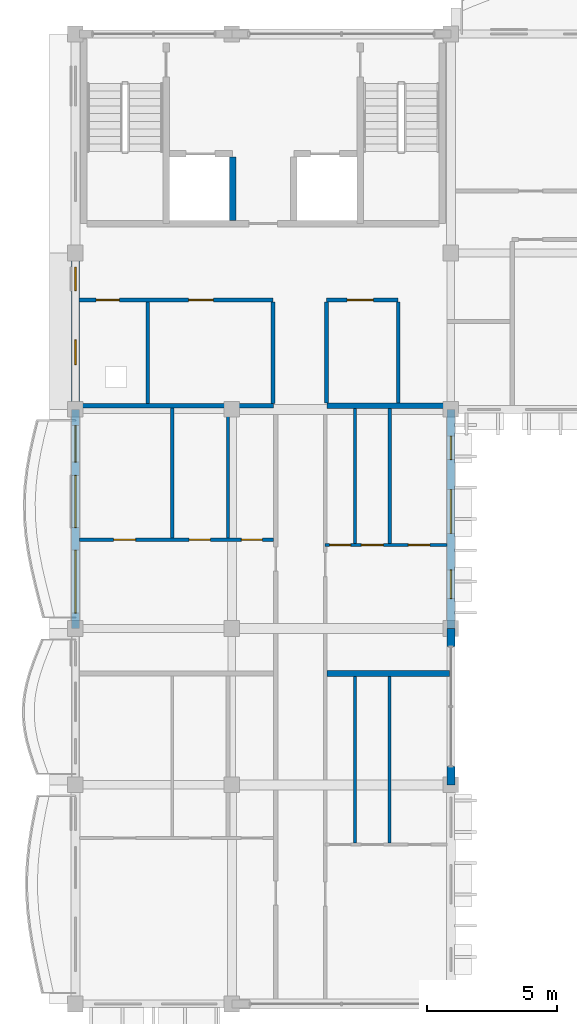
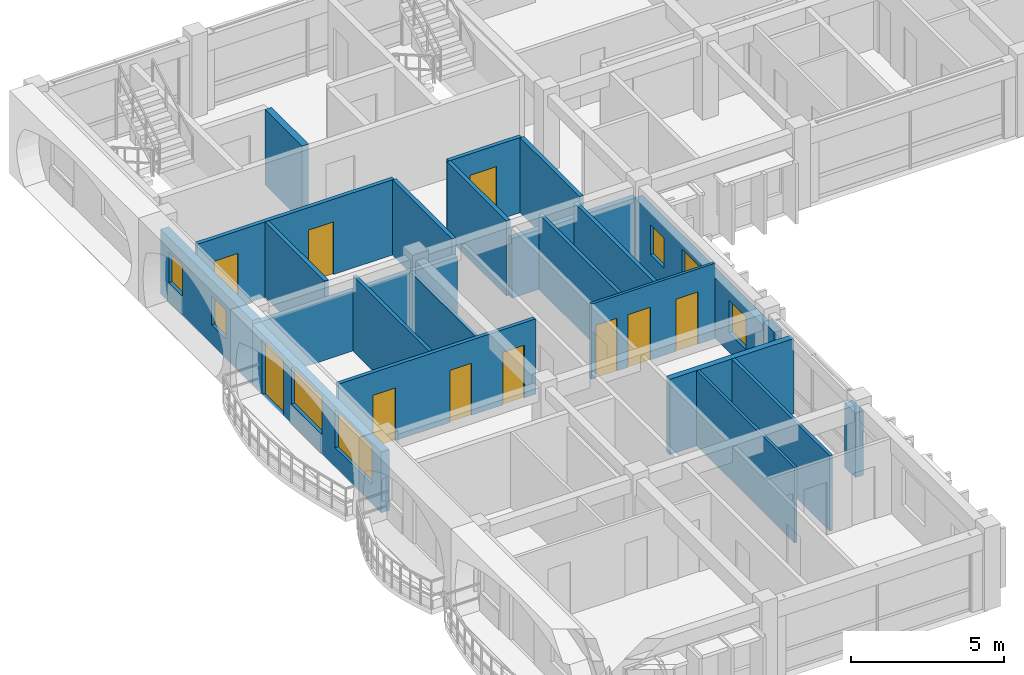
# One storey, part 29 of 68: 23 walls, 10 doors, 7 windows, 17 openings.
"""IFC4 building model written with IfcOpenShell, lengths in metres."""

from ifc_helpers import new_model, si_unit, direction, frame, frame_2d, origin, place, context, subcontext, project, spatial, rectangle, extrude, material, layer, layer_set, type_object, element, fill, save


model = new_model("IFC4")

# Units and contexts
model_context = context("Model", 3, precision=1e-05, world=origin(), true_north=direction((0.0, 1.0)))
body_context = subcontext(model_context, "Body", "Model", "MODEL_VIEW")
ifc_project = project(units=[si_unit("LENGTHUNIT", "METRE"), si_unit("AREAUNIT", "SQUARE_METRE"), si_unit("VOLUMEUNIT", "CUBIC_METRE"), si_unit("PLANEANGLEUNIT", "RADIAN"), si_unit("MASSUNIT", "GRAM", prefix="KILO"), si_unit("THERMODYNAMICTEMPERATUREUNIT", "KELVIN")], contexts=[model_context])

# Site, building, storey
site_placement = place(None, origin())
site = spatial("IfcSite", under=ifc_project, at=site_placement, CompositionType="ELEMENT")
building_placement = place(site_placement, origin())
building = spatial("IfcBuilding", under=site, at=building_placement, Name="Thalorik Housing Commons", CompositionType="ELEMENT")
storey_placement = place(building_placement, frame((0.0, 0.0, 24.60009765625)))
storey = spatial("IfcBuildingStorey", under=building, at=storey_placement, Name="L07", CompositionType="ELEMENT", Elevation=24.60009765625)

# Wall
ifc_material_1 = material(Name="Concrete C40/50", Category="concrete")
ifc_layer_1 = layer(ifc_material_1, 0.25, Name="Concrete C40/50", Category="concrete")
ifc_layer_set_1 = layer_set([ifc_layer_1], Name="Concrete C40/50")
wall_type_1 = type_object("IfcWallType", Name="ARC-WAL-CORE-250", PredefinedType="SHEAR", material=ifc_layer_set_1)
wall_1_placement = place(storey_placement, frame((14.425048828125, 118.875, 0.0), z_axis=(0.0, 0.0, 1.0), x_axis=(0.0, -1.0, 0.0)))
element("IfcWall", 1, at=wall_1_placement, inside=storey, type_object=wall_type_1, Name="L07 Lift 1 Cheek Wall", PredefinedType="SHEAR", context=body_context, shape_type="SweptSolid", body=[
    extrude(rectangle(XDim=2.425048828125, YDim=0.25, at=frame_2d((1.21240234375, 0.0))), origin(), (0.0, 0.0, 1.0), 3.0),
])

# Wall, openings, windows
ifc_material_2 = material(Name="White precast concrete C40/50", Category="concrete")
ifc_layer_2 = layer(ifc_material_2, 0.304931640625, Name="White precast concrete C40/50", Category="concrete")
ifc_layer_set_2 = layer_set([ifc_layer_2], Name="White precast concrete C40/50")
wall_type_2 = type_object("IfcWallType", Name="ARC-WAL-EXT-305", PredefinedType="STANDARD", material=ifc_layer_set_2)
wall_2_placement = place(storey_placement, frame((8.39990234375, 115.199951171875, 0.0), z_axis=(0.0, 0.0, 1.0), x_axis=(0.0, -1.0, 0.0)))
wall_2 = element("IfcWall", 2, at=wall_2_placement, inside=storey, type_object=wall_type_2, Name="L07 Exterior Wall WAL-EXT-L07-A-0204", PredefinedType="STANDARD", context=body_context, shape_type="SweptSolid", body=[
    extrude(rectangle(XDim=6.0, YDim=0.304931640625, at=frame_2d((3.0, 0.0))), origin(), (0.0, 0.0, 1.0), 2.574951171875),
])
opening_1_placement = place(wall_2_placement, frame((0.544921875, 0.0, 0.780029296875)))
opening_1 = element("IfcOpeningElement", 3, at=opening_1_placement, cuts=wall_2, Name="Opening W-01", PredefinedType="OPENING", context=body_context, shape_type="SweptSolid", body=[
    extrude(rectangle(XDim=0.89990234375, YDim=1.199951171875, at=frame_2d((0.449951171875, 0.60009765625))), frame((0.0, 0.16259765625, 0.0), z_axis=(0.0, -1.0, 0.0), x_axis=(1.0, 0.0, 0.0)), (0.0, 0.0, 1.0), 0.324951171875),
])
opening_2_placement = place(wall_2_placement, frame((3.330078125, 0.0, 0.780029296875)))
opening_2 = element("IfcOpeningElement", 4, at=opening_2_placement, cuts=wall_2, Name="Opening W-43", PredefinedType="OPENING", context=body_context, shape_type="SweptSolid", body=[
    extrude(rectangle(XDim=0.949951171875, YDim=1.14990234375, at=frame_2d((0.47509765625, 0.574951171875))), frame((0.0, 0.16259765625, 0.0), z_axis=(0.0, -1.0, 0.0), x_axis=(1.0, 0.0, 0.0)), (0.0, 0.0, 1.0), 0.324951171875),
])
ifc_material_3 = material(Name="Anodised aluminium and solar-control low-E glass", Category="aluminium")
window_type_1 = type_object("IfcWindowType", Name="ARC-WIN-01", PartitioningType="SINGLE_PANEL", PredefinedType="WINDOW", material=ifc_material_3)
window_1_placement = place(opening_1_placement, origin())
window_1 = element("IfcWindow", 5, at=window_1_placement, inside=storey, type_object=window_type_1, Name="L07 Facade Window 363", OverallHeight=1.199951171875, OverallWidth=0.89990234375, PartitioningType="SINGLE_PANEL", PredefinedType="WINDOW", context=body_context, shape_type="SweptSolid", body=[
    extrude(rectangle(XDim=0.89990234375, YDim=1.199951171875, at=frame_2d((0.449951171875, 0.60009765625))), frame((0.0, 0.030029296875, 0.0), z_axis=(0.0, -1.0, 0.0), x_axis=(1.0, 0.0, 0.0)), (0.0, 0.0, 1.0), 0.06005859375),
])
fill(opening_1, window_1)
window_type_2 = type_object("IfcWindowType", Name="ARC-WIN-43", PartitioningType="SINGLE_PANEL", PredefinedType="WINDOW", material=ifc_material_3)
window_2_placement = place(opening_2_placement, origin())
window_2 = element("IfcWindow", 6, at=window_2_placement, inside=storey, type_object=window_type_2, Name="L07 Facade Window 364", OverallHeight=1.14990234375, OverallWidth=0.949951171875, PartitioningType="SINGLE_PANEL", PredefinedType="WINDOW", context=body_context, shape_type="SweptSolid", body=[
    extrude(rectangle(XDim=0.949951171875, YDim=1.14990234375, at=frame_2d((0.47509765625, 0.574951171875))), frame((0.0, 0.030029296875, 0.0), z_axis=(0.0, -1.0, 0.0), x_axis=(1.0, 0.0, 0.0)), (0.0, 0.0, 1.0), 0.06005859375),
])
fill(opening_2, window_2)

# Wall, openings, door, windows
wall_3_placement = place(storey_placement, frame((8.39990234375, 109.199951171875, 0.0), z_axis=(0.0, 0.0, 1.0), x_axis=(0.0, -1.0, 0.0)))
wall_3 = element("IfcWall", 7, at=wall_3_placement, inside=storey, type_object=wall_type_2, Name="L07 Exterior Wall WAL-EXT-L07-A-0205", PredefinedType="STANDARD", context=body_context, shape_type="SweptSolid", body=[
    extrude(rectangle(XDim=8.39990234375, YDim=0.304931640625, at=frame_2d((4.199951171875, 0.0))), origin(), (0.0, 0.0, 1.0), 2.4248046875),
])
opening_3_placement = place(wall_3_placement, frame((0.6201171875, 0.0, 0.0)))
opening_3 = element("IfcOpeningElement", 8, at=opening_3_placement, cuts=wall_3, Name="Opening ED-0065", PredefinedType="OPENING", context=body_context, shape_type="SweptSolid", body=[
    extrude(rectangle(XDim=1.39990234375, YDim=2.199951171875, at=frame_2d((0.699951171875, 1.10009765625))), frame((0.0, 0.16259765625, 0.0), z_axis=(0.0, -1.0, 0.0), x_axis=(1.0, 0.0, 0.0)), (0.0, 0.0, 1.0), 0.324951171875),
])
opening_4_placement = place(wall_3_placement, frame((2.532470703125, 0.0, 0.780029296875)))
opening_4 = element("IfcOpeningElement", 9, at=opening_4_placement, cuts=wall_3, Name="Opening W-23", PredefinedType="OPENING", context=body_context, shape_type="SweptSolid", body=[
    extrude(rectangle(XDim=2.0, YDim=1.5, at=frame_2d((1.0, 0.75))), frame((0.0, 0.16259765625, 0.0), z_axis=(0.0, -1.0, 0.0), x_axis=(1.0, 0.0, 0.0)), (0.0, 0.0, 1.0), 0.324951171875),
])
opening_5_placement = place(wall_3_placement, frame((5.392578125, 0.0, 0.780029296875)))
opening_5 = element("IfcOpeningElement", 10, at=opening_5_placement, cuts=wall_3, Name="Opening W-70", PredefinedType="OPENING", context=body_context, shape_type="SweptSolid", body=[
    extrude(rectangle(XDim=2.419921875, YDim=1.52001953125, at=frame_2d((1.2099609375, 0.760009765625))), frame((0.0, 0.16259765625, 0.0), z_axis=(0.0, -1.0, 0.0), x_axis=(1.0, 0.0, 0.0)), (0.0, 0.0, 1.0), 0.324951171875),
])
ifc_material_4 = material(Name="Anodised aluminium and laminated safety glass", Category="aluminium")
door_type_1 = type_object("IfcDoorType", Name="ARC-DR-BAL-1400", OperationType="NOTDEFINED", PredefinedType="DOOR", material=ifc_material_4)
door_1_placement = place(opening_3_placement, frame((1.39990234375, 0.0, 0.0), z_axis=(0.0, 0.0, 1.0), x_axis=(-1.0, 0.0, 0.0)))
door_1 = element("IfcDoor", 11, at=door_1_placement, inside=storey, type_object=door_type_1, Name="L07 Block A Balcony Glazed Door", OperationType="SLIDING_TO_LEFT", OverallHeight=2.199951171875, OverallWidth=1.39990234375, PredefinedType="DOOR", context=body_context, shape_type="SweptSolid", body=[
    extrude(rectangle(XDim=1.39990234375, YDim=2.199951171875, at=frame_2d((0.699951171875, 1.10009765625))), frame((0.0, 0.02490234375, 0.0), z_axis=(0.0, -1.0, 0.0), x_axis=(1.0, 0.0, 0.0)), (0.0, 0.0, 1.0), 0.050048828125),
])
fill(opening_3, door_1)
window_type_3 = type_object("IfcWindowType", Name="ARC-WIN-23", PartitioningType="DOUBLE_PANEL_VERTICAL", PredefinedType="WINDOW", material=ifc_material_3)
window_3_placement = place(opening_4_placement, origin())
window_3 = element("IfcWindow", 12, at=window_3_placement, inside=storey, type_object=window_type_3, Name="L07 Facade Window 365", OverallHeight=1.5, OverallWidth=2.0, PartitioningType="DOUBLE_PANEL_VERTICAL", PredefinedType="WINDOW", context=body_context, shape_type="SweptSolid", body=[
    extrude(rectangle(XDim=2.0, YDim=1.5, at=frame_2d((1.0, 0.75))), frame((0.0, 0.030029296875, 0.0), z_axis=(0.0, -1.0, 0.0), x_axis=(1.0, 0.0, 0.0)), (0.0, 0.0, 1.0), 0.06005859375),
])
fill(opening_4, window_3)
window_type_4 = type_object("IfcWindowType", Name="ARC-WIN-70", PartitioningType="DOUBLE_PANEL_VERTICAL", PredefinedType="WINDOW", material=ifc_material_3)
window_4_placement = place(opening_5_placement, origin())
window_4 = element("IfcWindow", 13, at=window_4_placement, inside=storey, type_object=window_type_4, Name="L07 Facade Window 366", OverallHeight=1.52001953125, OverallWidth=2.419921875, PartitioningType="DOUBLE_PANEL_VERTICAL", PredefinedType="WINDOW", context=body_context, shape_type="SweptSolid", body=[
    extrude(rectangle(XDim=2.419921875, YDim=1.52001953125, at=frame_2d((1.2099609375, 0.760009765625))), frame((0.0, 0.030029296875, 0.0), z_axis=(0.0, -1.0, 0.0), x_axis=(1.0, 0.0, 0.0)), (0.0, 0.0, 1.0), 0.06005859375),
])
fill(opening_5, window_4)

# Walls
for number, where, z_axis, x_axis, name in (
    (14, (22.800048828125, 94.800048828125, 0.0), (0.0, 0.0, 1.0), (0.0, 1.0, 0.0), "L07 Exterior Wall WAL-PIERL-L07-A-0211"),
    (15, (22.800048828125, 100.10009765625, 0.0), (0.0, 0.0, 1.0), (0.0, 1.0, 0.0), "L07 Exterior Wall WAL-PIERR-L07-A-0211"),
):
    element("IfcWall", number, at=place(storey_placement, frame(where, z_axis=z_axis, x_axis=x_axis)), inside=storey, type_object=wall_type_2, Name=name, PredefinedType="STANDARD", context=body_context, shape_type="SweptSolid", body=[
        extrude(rectangle(XDim=0.699951171875, YDim=0.304931640625, at=frame_2d((0.35009765625, 0.0))), origin(), (0.0, 0.0, 1.0), 2.574951171875),
    ])

# Wall, openings, windows
wall_4_placement = place(storey_placement, frame((22.800048828125, 100.800048828125, 0.0), z_axis=(0.0, 0.0, 1.0), x_axis=(0.0, 1.0, 0.0)))
wall_4 = element("IfcWall", 16, at=wall_4_placement, inside=storey, type_object=wall_type_2, Name="L07 Exterior Wall WAL-EXT-L07-A-0212", PredefinedType="STANDARD", context=body_context, shape_type="SweptSolid", body=[
    extrude(rectangle(XDim=8.39990234375, YDim=0.304931640625, at=frame_2d((4.199951171875, 0.0))), origin(), (0.0, 0.0, 1.0), 2.4248046875),
])
opening_6_placement = place(wall_4_placement, frame((1.144775390625, 0.0, 0.780029296875)))
opening_6 = element("IfcOpeningElement", 17, at=opening_6_placement, cuts=wall_4, Name="Opening W-03", PredefinedType="OPENING", context=body_context, shape_type="SweptSolid", body=[
    extrude(rectangle(XDim=1.10009765625, YDim=1.300048828125, at=frame_2d((0.550048828125, 0.64990234375))), frame((0.0, 0.16259765625, 0.0), z_axis=(0.0, -1.0, 0.0), x_axis=(1.0, 0.0, 0.0)), (0.0, 0.0, 1.0), 0.324951171875),
])
opening_7_placement = place(wall_4_placement, frame((3.647216796875, 0.0, 0.780029296875)))
opening_7 = element("IfcOpeningElement", 18, at=opening_7_placement, cuts=wall_4, Name="Opening W-55", PredefinedType="OPENING", context=body_context, shape_type="SweptSolid", body=[
    extrude(rectangle(XDim=1.679931640625, YDim=1.4599609375, at=frame_2d((0.83984375, 0.72998046875))), frame((0.0, 0.16259765625, 0.0), z_axis=(0.0, -1.0, 0.0), x_axis=(1.0, 0.0, 0.0)), (0.0, 0.0, 1.0), 0.324951171875),
])
opening_8_placement = place(wall_4_placement, frame((6.472412109375, 0.0, 0.780029296875)))
opening_8 = element("IfcOpeningElement", 19, at=opening_8_placement, cuts=wall_4, Name="Opening W-01", PredefinedType="OPENING", context=body_context, shape_type="SweptSolid", body=[
    extrude(rectangle(XDim=0.89990234375, YDim=1.199951171875, at=frame_2d((0.449951171875, 0.60009765625))), frame((0.0, 0.16259765625, 0.0), z_axis=(0.0, -1.0, 0.0), x_axis=(1.0, 0.0, 0.0)), (0.0, 0.0, 1.0), 0.324951171875),
])
window_5_placement = place(opening_8_placement, origin())
window_5 = element("IfcWindow", 20, at=window_5_placement, inside=storey, type_object=window_type_1, Name="L07 Facade Window 378", OverallHeight=1.199951171875, OverallWidth=0.89990234375, PartitioningType="SINGLE_PANEL", PredefinedType="WINDOW", context=body_context, shape_type="SweptSolid", body=[
    extrude(rectangle(XDim=0.89990234375, YDim=1.199951171875, at=frame_2d((0.449951171875, 0.60009765625))), frame((0.0, 0.030029296875, 0.0), z_axis=(0.0, -1.0, 0.0), x_axis=(1.0, 0.0, 0.0)), (0.0, 0.0, 1.0), 0.06005859375),
])
fill(opening_8, window_5)
window_type_5 = type_object("IfcWindowType", Name="ARC-WIN-03", PartitioningType="SINGLE_PANEL", PredefinedType="WINDOW", material=ifc_material_3)
window_6_placement = place(opening_6_placement, origin())
window_6 = element("IfcWindow", 21, at=window_6_placement, inside=storey, type_object=window_type_5, Name="L07 Facade Window 376", OverallHeight=1.300048828125, OverallWidth=1.10009765625, PartitioningType="SINGLE_PANEL", PredefinedType="WINDOW", context=body_context, shape_type="SweptSolid", body=[
    extrude(rectangle(XDim=1.10009765625, YDim=1.300048828125, at=frame_2d((0.550048828125, 0.64990234375))), frame((0.0, 0.030029296875, 0.0), z_axis=(0.0, -1.0, 0.0), x_axis=(1.0, 0.0, 0.0)), (0.0, 0.0, 1.0), 0.06005859375),
])
fill(opening_6, window_6)
window_type_6 = type_object("IfcWindowType", Name="ARC-WIN-55", PartitioningType="DOUBLE_PANEL_VERTICAL", PredefinedType="WINDOW", material=ifc_material_3)
window_7_placement = place(opening_7_placement, origin())
window_7 = element("IfcWindow", 22, at=window_7_placement, inside=storey, type_object=window_type_6, Name="L07 Facade Window 377", OverallHeight=1.4599609375, OverallWidth=1.679931640625, PartitioningType="DOUBLE_PANEL_VERTICAL", PredefinedType="WINDOW", context=body_context, shape_type="SweptSolid", body=[
    extrude(rectangle(XDim=1.679931640625, YDim=1.4599609375, at=frame_2d((0.83984375, 0.72998046875))), frame((0.0, 0.030029296875, 0.0), z_axis=(0.0, -1.0, 0.0), x_axis=(1.0, 0.0, 0.0)), (0.0, 0.0, 1.0), 0.06005859375),
])
fill(opening_7, window_7)

# Wall
ifc_material_5 = material(Name="Gypsum light stud partition", Category="masonry")
ifc_layer_3 = layer(ifc_material_5, 0.10009765625, Name="Gypsum light stud partition", Category="masonry")
ifc_layer_set_3 = layer_set([ifc_layer_3], Name="Gypsum light stud partition")
wall_type_3 = type_object("IfcWallType", Name="ARC-WAL-PART-100", PredefinedType="PARTITIONING", material=ifc_layer_set_3)
wall_5_placement = place(storey_placement, frame((19.122314453125, 92.577392578125, 0.0), z_axis=(0.0, 0.0, 1.0), x_axis=(0.0, 1.0, 0.0)))
element("IfcWall", 23, at=wall_5_placement, inside=storey, type_object=wall_type_3, Name="L07 Unit 1B Wet Wall", PredefinedType="PARTITIONING", context=body_context, shape_type="SweptSolid", body=[
    extrude(rectangle(XDim=6.380615234375, YDim=0.10009765625, at=frame_2d((3.1904296875, 0.0))), origin(), (0.0, 0.0, 1.0), 3.0),
])

# Wall, openings, doors
wall_6_placement = place(storey_placement, frame((17.97998046875, 103.99951171875, 0.0), z_axis=(0.0, 0.0, 1.0), x_axis=(1.0, 0.0, 0.0)))
wall_6 = element("IfcWall", 24, at=wall_6_placement, inside=storey, type_object=wall_type_3, Name="L07 Unit 2B Spine Partition", PredefinedType="PARTITIONING", context=body_context, shape_type="SweptSolid", body=[
    extrude(rectangle(XDim=4.66552734375, YDim=0.10009765625, at=frame_2d((2.332763671875, 0.0))), origin(), (0.0, 0.0, 1.0), 3.0),
])
opening_9_placement = place(wall_6_placement, frame((0.171142578125, 0.0, 0.0)))
opening_9 = element("IfcOpeningElement", 25, at=opening_9_placement, cuts=wall_6, Name="Opening ID-0718", PredefinedType="OPENING", context=body_context, shape_type="SweptSolid", body=[
    extrude(rectangle(XDim=0.800048828125, YDim=2.10009765625, at=frame_2d((0.39990234375, 1.050048828125))), frame((0.0, 0.06005859375, 0.0), z_axis=(0.0, -1.0, 0.0), x_axis=(1.0, 0.0, 0.0)), (0.0, 0.0, 1.0), 0.1201171875),
])
opening_10_placement = place(wall_6_placement, frame((1.3837890625, 0.0, 0.0)))
opening_10 = element("IfcOpeningElement", 26, at=opening_10_placement, cuts=wall_6, Name="Opening ID-0719", PredefinedType="OPENING", context=body_context, shape_type="SweptSolid", body=[
    extrude(rectangle(XDim=0.85009765625, YDim=2.10009765625, at=frame_2d((0.425048828125, 1.050048828125))), frame((0.0, 0.06005859375, 0.0), z_axis=(0.0, -1.0, 0.0), x_axis=(1.0, 0.0, 0.0)), (0.0, 0.0, 1.0), 0.1201171875),
])
opening_11_placement = place(wall_6_placement, frame((3.192626953125, 0.0, 0.0)))
opening_11 = element("IfcOpeningElement", 27, at=opening_11_placement, cuts=wall_6, Name="Opening ID-0720", PredefinedType="OPENING", context=body_context, shape_type="SweptSolid", body=[
    extrude(rectangle(XDim=0.820068359375, YDim=2.080078125, at=frame_2d((0.41015625, 1.0400390625))), frame((0.0, 0.06005859375, 0.0), z_axis=(0.0, -1.0, 0.0), x_axis=(1.0, 0.0, 0.0)), (0.0, 0.0, 1.0), 0.1201171875),
])
ifc_material_6 = material(Name="Moisture-resistant timber", Category="wood")
door_type_2 = type_object("IfcDoorType", Name="ARC-DR-INT-800", OperationType="NOTDEFINED", PredefinedType="DOOR", material=ifc_material_6)
door_2_placement = place(opening_9_placement, origin())
door_2 = element("IfcDoor", 28, at=door_2_placement, inside=storey, type_object=door_type_2, Name="L07 Accessible Bathroom Door", OperationType="SINGLE_SWING_LEFT", OverallHeight=2.10009765625, OverallWidth=0.800048828125, PredefinedType="DOOR", context=body_context, shape_type="SweptSolid", body=[
    extrude(rectangle(XDim=0.800048828125, YDim=2.10009765625, at=frame_2d((0.39990234375, 1.050048828125))), frame((0.0, 0.02490234375, 0.0), z_axis=(0.0, -1.0, 0.0), x_axis=(1.0, 0.0, 0.0)), (0.0, 0.0, 1.0), 0.050048828125),
])
fill(opening_9, door_2)
ifc_material_7 = material(Name="Engineered oak timber", Category="wood")
door_type_3 = type_object("IfcDoorType", Name="ARC-DR-INT-820", OperationType="NOTDEFINED", PredefinedType="DOOR", material=ifc_material_7)
door_3_placement = place(opening_11_placement, origin())
door_3 = element("IfcDoor", 29, at=door_3_placement, inside=storey, type_object=door_type_3, Name="L07 Single Bedroom Door", OperationType="SINGLE_SWING_LEFT", OverallHeight=2.080078125, OverallWidth=0.820068359375, PredefinedType="DOOR", context=body_context, shape_type="SweptSolid", body=[
    extrude(rectangle(XDim=0.820068359375, YDim=2.080078125, at=frame_2d((0.41015625, 1.0400390625))), frame((0.0, 0.02490234375, 0.0), z_axis=(0.0, -1.0, 0.0), x_axis=(1.0, 0.0, 0.0)), (0.0, 0.0, 1.0), 0.050048828125),
])
fill(opening_11, door_3)
door_type_4 = type_object("IfcDoorType", Name="ARC-DR-INT-850", OperationType="NOTDEFINED", PredefinedType="DOOR", material=ifc_material_7)
door_4_placement = place(opening_10_placement, origin())
door_4 = element("IfcDoor", 30, at=door_4_placement, inside=storey, type_object=door_type_4, Name="L07 Eat-In Kitchen Door", OperationType="SINGLE_SWING_RIGHT", OverallHeight=2.10009765625, OverallWidth=0.85009765625, PredefinedType="DOOR", context=body_context, shape_type="SweptSolid", body=[
    extrude(rectangle(XDim=0.85009765625, YDim=2.10009765625, at=frame_2d((0.425048828125, 1.050048828125))), frame((0.0, 0.02490234375, 0.0), z_axis=(0.0, -1.0, 0.0), x_axis=(1.0, 0.0, 0.0)), (0.0, 0.0, 1.0), 0.050048828125),
])
fill(opening_10, door_4)

# Walls
ifc_material_8 = material(Name="Gypsum moisture-resistant partition", Category="masonry")
ifc_layer_4 = layer(ifc_material_8, 0.114990234375, Name="Gypsum moisture-resistant partition", Category="masonry")
ifc_layer_set_4 = layer_set([ifc_layer_4], Name="Gypsum moisture-resistant partition")
wall_type_4 = type_object("IfcWallType", Name="ARC-WAL-PART-115", PredefinedType="PARTITIONING", material=ifc_layer_set_4)
wall_7_placement = place(storey_placement, frame((20.455078125, 92.577392578125, 0.0), z_axis=(0.0, 0.0, 1.0), x_axis=(0.0, 1.0, 0.0)))
element("IfcWall", 31, at=wall_7_placement, inside=storey, type_object=wall_type_4, Name="L07 Unit 1B Bedroom Partition", PredefinedType="PARTITIONING", context=body_context, shape_type="SweptSolid", body=[
    extrude(rectangle(XDim=6.380615234375, YDim=0.114990234375, at=frame_2d((3.1904296875, 0.0))), origin(), (0.0, 0.0, 1.0), 3.0),
])
wall_8_placement = place(storey_placement, frame((14.251220703125, 104.277099609375, 0.0), z_axis=(0.0, 0.0, 1.0), x_axis=(0.0, 1.0, 0.0)))
element("IfcWall", 32, at=wall_8_placement, inside=storey, type_object=wall_type_4, Name="L07 Unit 2 Wet Wall", PredefinedType="PARTITIONING", context=body_context, shape_type="SweptSolid", body=[
    extrude(rectangle(XDim=4.968505859375, YDim=0.114990234375, at=frame_2d((2.484375, 0.0))), origin(), (0.0, 0.0, 1.0), 2.4248046875),
])
ifc_material_9 = material(Name="Gypsum acoustic stud partition", Category="masonry")
ifc_layer_5 = layer(ifc_material_9, 0.125, Name="Gypsum acoustic stud partition", Category="masonry")
ifc_layer_set_5 = layer_set([ifc_layer_5], Name="Gypsum acoustic stud partition")
wall_type_5 = type_object("IfcWallType", Name="ARC-WAL-PART-125", PredefinedType="PARTITIONING", material=ifc_layer_set_5)
wall_9_placement = place(storey_placement, frame((12.11767578125, 104.277099609375, 0.0), z_axis=(0.0, 0.0, 1.0), x_axis=(0.0, 1.0, 0.0)))
element("IfcWall", 33, at=wall_9_placement, inside=storey, type_object=wall_type_5, Name="L07 Unit 2 Bedroom Partition", PredefinedType="PARTITIONING", context=body_context, shape_type="SweptSolid", body=[
    extrude(rectangle(XDim=4.968505859375, YDim=0.125, at=frame_2d((2.484375, 0.0))), origin(), (0.0, 0.0, 1.0), 3.0),
])
wall_10_placement = place(storey_placement, frame((19.122314453125, 104.051513671875, 0.0), z_axis=(0.0, 0.0, 1.0), x_axis=(0.0, 1.0, 0.0)))
element("IfcWall", 34, at=wall_10_placement, inside=storey, type_object=wall_type_5, Name="L07 Unit 2B Wet Wall", PredefinedType="PARTITIONING", context=body_context, shape_type="SweptSolid", body=[
    extrude(rectangle(XDim=5.1865234375, YDim=0.125, at=frame_2d((2.59326171875, 0.0))), origin(), (0.0, 0.0, 1.0), 3.0),
])

# Wall, openings, doors
ifc_material_10 = material(Name="Ceramic masonry partition wall", Category="masonry")
ifc_layer_6 = layer(ifc_material_10, 0.139892578125, Name="Ceramic masonry partition wall", Category="masonry")
ifc_layer_set_6 = layer_set([ifc_layer_6], Name="Ceramic masonry partition wall")
wall_type_6 = type_object("IfcWallType", Name="ARC-WAL-PART-140", PredefinedType="PARTITIONING", material=ifc_layer_set_6)
wall_11_placement = place(storey_placement, frame((8.554443359375, 104.205078125, 0.0), z_axis=(0.0, 0.0, 1.0), x_axis=(1.0, 0.0, 0.0)))
wall_11 = element("IfcWall", 35, at=wall_11_placement, inside=storey, type_object=wall_type_6, Name="L07 Unit 2 Spine Partition", PredefinedType="PARTITIONING", context=body_context, shape_type="SweptSolid", body=[
    extrude(rectangle(XDim=7.441162109375, YDim=0.139892578125, at=frame_2d((3.720703125, 0.0))), origin(), (0.0, 0.0, 1.0), 3.0),
])
opening_12_placement = place(wall_11_placement, frame((1.309326171875, 0.0, 0.0)))
opening_12 = element("IfcOpeningElement", 36, at=opening_12_placement, cuts=wall_11, Name="Opening ID-0715", PredefinedType="OPENING", context=body_context, shape_type="SweptSolid", body=[
    extrude(rectangle(XDim=0.85009765625, YDim=2.10009765625, at=frame_2d((0.425048828125, 1.050048828125))), frame((0.0, 0.080078125, 0.0), z_axis=(0.0, -1.0, 0.0), x_axis=(1.0, 0.0, 0.0)), (0.0, 0.0, 1.0), 0.159912109375),
])
opening_13_placement = place(wall_11_placement, frame((4.204833984375, 0.0, 0.0)))
opening_13 = element("IfcOpeningElement", 37, at=opening_13_placement, cuts=wall_11, Name="Opening ID-0716", PredefinedType="OPENING", context=body_context, shape_type="SweptSolid", body=[
    extrude(rectangle(XDim=0.820068359375, YDim=2.080078125, at=frame_2d((0.41015625, 1.0400390625))), frame((0.0, 0.080078125, 0.0), z_axis=(0.0, -1.0, 0.0), x_axis=(1.0, 0.0, 0.0)), (0.0, 0.0, 1.0), 0.159912109375),
])
opening_14_placement = place(wall_11_placement, frame((6.211181640625, 0.0, 0.0)))
opening_14 = element("IfcOpeningElement", 38, at=opening_14_placement, cuts=wall_11, Name="Opening ID-0717", PredefinedType="OPENING", context=body_context, shape_type="SweptSolid", body=[
    extrude(rectangle(XDim=0.800048828125, YDim=2.10009765625, at=frame_2d((0.39990234375, 1.050048828125))), frame((0.0, 0.080078125, 0.0), z_axis=(0.0, -1.0, 0.0), x_axis=(1.0, 0.0, 0.0)), (0.0, 0.0, 1.0), 0.159912109375),
])
door_5_placement = place(opening_14_placement, origin())
door_5 = element("IfcDoor", 39, at=door_5_placement, inside=storey, type_object=door_type_2, Name="L07 Flat Bathroom Door", OperationType="SINGLE_SWING_RIGHT", OverallHeight=2.10009765625, OverallWidth=0.800048828125, PredefinedType="DOOR", context=body_context, shape_type="SweptSolid", body=[
    extrude(rectangle(XDim=0.800048828125, YDim=2.10009765625, at=frame_2d((0.39990234375, 1.050048828125))), frame((0.0, 0.02490234375, 0.0), z_axis=(0.0, -1.0, 0.0), x_axis=(1.0, 0.0, 0.0)), (0.0, 0.0, 1.0), 0.050048828125),
])
fill(opening_14, door_5)
door_6_placement = place(opening_13_placement, origin())
door_6 = element("IfcDoor", 40, at=door_6_placement, inside=storey, type_object=door_type_3, Name="L07 Galley Kitchen Door", OperationType="SINGLE_SWING_LEFT", OverallHeight=2.080078125, OverallWidth=0.820068359375, PredefinedType="DOOR", context=body_context, shape_type="SweptSolid", body=[
    extrude(rectangle(XDim=0.820068359375, YDim=2.080078125, at=frame_2d((0.41015625, 1.0400390625))), frame((0.0, 0.02490234375, 0.0), z_axis=(0.0, -1.0, 0.0), x_axis=(1.0, 0.0, 0.0)), (0.0, 0.0, 1.0), 0.050048828125),
])
fill(opening_13, door_6)
door_7_placement = place(opening_12_placement, origin())
door_7 = element("IfcDoor", 41, at=door_7_placement, inside=storey, type_object=door_type_4, Name="L07 Double Bedroom Door", OperationType="SINGLE_SWING_RIGHT", OverallHeight=2.10009765625, OverallWidth=0.85009765625, PredefinedType="DOOR", context=body_context, shape_type="SweptSolid", body=[
    extrude(rectangle(XDim=0.85009765625, YDim=2.10009765625, at=frame_2d((0.425048828125, 1.050048828125))), frame((0.0, 0.02490234375, 0.0), z_axis=(0.0, -1.0, 0.0), x_axis=(1.0, 0.0, 0.0)), (0.0, 0.0, 1.0), 0.050048828125),
])
fill(opening_12, door_7)

# Walls
wall_12_placement = place(storey_placement, frame((20.455078125, 104.051513671875, 0.0), z_axis=(0.0, 0.0, 1.0), x_axis=(0.0, 1.0, 0.0)))
element("IfcWall", 42, at=wall_12_placement, inside=storey, type_object=wall_type_6, Name="L07 Unit 2B Bedroom Partition", PredefinedType="PARTITIONING", context=body_context, shape_type="SweptSolid", body=[
    extrude(rectangle(XDim=5.1865234375, YDim=0.139892578125, at=frame_2d((2.59326171875, 0.0))), origin(), (0.0, 0.0, 1.0), 3.0),
])
ifc_layer_7 = layer(ifc_material_10, 0.14794921875, Name="Ceramic masonry partition wall", Category="masonry")
ifc_layer_set_7 = layer_set([ifc_layer_7], Name="Ceramic masonry partition wall")
wall_type_7 = type_object("IfcWallType", Name="ARC-WAL-PART-150", PredefinedType="PARTITIONING", material=ifc_layer_set_7)
for number, where, z_axis, x_axis, name in (
    (43, (11.175048828125, 113.323974609375, 0.0), (0.0, 0.0, 1.0), (0.0, -1.0, 0.0), "Riser Wall"),
    (44, (15.97509765625, 113.323974609375, 0.0), (0.0, 0.0, 1.0), (0.0, -1.0, 0.0), "Core Stem West Cheek Wall"),
):
    element("IfcWall", number, at=place(storey_placement, frame(where, z_axis=z_axis, x_axis=x_axis)), inside=storey, type_object=wall_type_7, Name=name, PredefinedType="PARTITIONING", context=body_context, shape_type="SweptSolid", body=[
        extrude(rectangle(XDim=3.889404296875, YDim=0.14794921875, at=frame_2d((1.94482421875, 0.0))), origin(), (0.0, 0.0, 1.0), 3.0),
    ])
for number, where, z_axis, x_axis, name in (
    (45, (18.02490234375, 113.323974609375, 0.0), (0.0, 0.0, 1.0), (0.0, -1.0, 0.0), "Core Stem East Cheek Wall"),
    (46, (20.780029296875, 113.323974609375, 0.0), (0.0, 0.0, 1.0), (0.0, -1.0, 0.0), "Core East Enclosing Wall"),
):
    element("IfcWall", number, at=place(storey_placement, frame(where, z_axis=z_axis, x_axis=x_axis)), inside=storey, type_object=wall_type_7, Name=name, PredefinedType="PARTITIONING", context=body_context, shape_type="SweptSolid", body=[
        extrude(rectangle(XDim=3.882080078125, YDim=0.14794921875, at=frame_2d((1.94091796875, 0.0))), origin(), (0.0, 0.0, 1.0), 3.0),
    ])

# Wall, openings, doors
wall_13_placement = place(storey_placement, frame((8.5400390625, 113.39990234375, 0.0), z_axis=(0.0, 0.0, 1.0), x_axis=(1.0, 0.0, 0.0)))
wall_13 = element("IfcWall", 47, at=wall_13_placement, inside=storey, type_object=wall_type_7, Name="L07 Core A West Corridor Partition", PredefinedType="PARTITIONING", context=body_context, shape_type="SweptSolid", body=[
    extrude(rectangle(XDim=7.43505859375, YDim=0.14794921875, at=frame_2d((3.717529296875, 0.0))), origin(), (0.0, 0.0, 1.0), 3.0),
])
opening_15_placement = place(wall_13_placement, frame((0.64990234375, 0.0, 0.0)))
opening_15 = element("IfcOpeningElement", 48, at=opening_15_placement, cuts=wall_13, Name="Opening ID-0070", PredefinedType="OPENING", context=body_context, shape_type="SweptSolid", body=[
    extrude(rectangle(XDim=0.89990234375, YDim=2.10009765625, at=frame_2d((0.449951171875, 1.050048828125))), frame((0.0, 0.083984375, 0.0), z_axis=(0.0, -1.0, 0.0), x_axis=(1.0, 0.0, 0.0)), (0.0, 0.0, 1.0), 0.16796875),
])
opening_16_placement = place(wall_13_placement, frame((4.199951171875, 0.0, 0.0)))
opening_16 = element("IfcOpeningElement", 49, at=opening_16_placement, cuts=wall_13, Name="Opening ID-0071", PredefinedType="OPENING", context=body_context, shape_type="SweptSolid", body=[
    extrude(rectangle(XDim=0.949951171875, YDim=2.10009765625, at=frame_2d((0.47509765625, 1.050048828125))), frame((0.0, 0.083984375, 0.0), z_axis=(0.0, -1.0, 0.0), x_axis=(1.0, 0.0, 0.0)), (0.0, 0.0, 1.0), 0.16796875),
])
ifc_material_11 = material(Name="Steel S355", Category="steel")
door_type_5 = type_object("IfcDoorType", Name="ARC-DR-FD60-900", OperationType="NOTDEFINED", PredefinedType="DOOR", material=ifc_material_11)
door_8_placement = place(opening_15_placement, origin())
door_8 = element("IfcDoor", 50, at=door_8_placement, inside=storey, type_object=door_type_5, Name="Electrical Riser Door", OperationType="SINGLE_SWING_LEFT", OverallHeight=2.10009765625, OverallWidth=0.89990234375, PredefinedType="DOOR", context=body_context, shape_type="SweptSolid", body=[
    extrude(rectangle(XDim=0.89990234375, YDim=2.10009765625, at=frame_2d((0.449951171875, 1.050048828125))), frame((0.0, 0.02490234375, 0.0), z_axis=(0.0, -1.0, 0.0), x_axis=(1.0, 0.0, 0.0)), (0.0, 0.0, 1.0), 0.050048828125),
])
fill(opening_15, door_8)
door_type_6 = type_object("IfcDoorType", Name="ARC-DR-INT-950", OperationType="NOTDEFINED", PredefinedType="DOOR", material=ifc_material_7)
door_9_placement = place(opening_16_placement, origin())
door_9 = element("IfcDoor", 51, at=door_9_placement, inside=storey, type_object=door_type_6, Name="Accessible Bathroom Door", OperationType="SINGLE_SWING_RIGHT", OverallHeight=2.10009765625, OverallWidth=0.949951171875, PredefinedType="DOOR", context=body_context, shape_type="SweptSolid", body=[
    extrude(rectangle(XDim=0.949951171875, YDim=2.10009765625, at=frame_2d((0.47509765625, 1.050048828125))), frame((0.0, 0.02490234375, 0.0), z_axis=(0.0, -1.0, 0.0), x_axis=(1.0, 0.0, 0.0)), (0.0, 0.0, 1.0), 0.050048828125),
])
fill(opening_16, door_9)

# Wall, opening, door
wall_14_placement = place(storey_placement, frame((18.02490234375, 113.39990234375, 0.0), z_axis=(0.0, 0.0, 1.0), x_axis=(1.0, 0.0, 0.0)))
wall_14 = element("IfcWall", 52, at=wall_14_placement, inside=storey, type_object=wall_type_7, Name="L07 Core A East Corridor Partition", PredefinedType="PARTITIONING", context=body_context, shape_type="SweptSolid", body=[
    extrude(rectangle(XDim=2.755126953125, YDim=0.14794921875, at=frame_2d((1.37744140625, 0.0))), origin(), (0.0, 0.0, 1.0), 3.0),
])
opening_17_placement = place(wall_14_placement, frame((0.800048828125, 0.0, 0.0)))
opening_17 = element("IfcOpeningElement", 53, at=opening_17_placement, cuts=wall_14, Name="Opening ID-0072", PredefinedType="OPENING", context=body_context, shape_type="SweptSolid", body=[
    extrude(rectangle(XDim=1.0, YDim=2.14990234375, at=frame_2d((0.5, 1.074951171875))), frame((0.0, 0.083984375, 0.0), z_axis=(0.0, -1.0, 0.0), x_axis=(1.0, 0.0, 0.0)), (0.0, 0.0, 1.0), 0.16796875),
])
door_type_7 = type_object("IfcDoorType", Name="ARC-DR-FD60-1000", OperationType="NOTDEFINED", PredefinedType="DOOR", material=ifc_material_11)
door_10_placement = place(opening_17_placement, origin())
door_10 = element("IfcDoor", 54, at=door_10_placement, inside=storey, type_object=door_type_7, Name="Core Hub Room Door", OperationType="SINGLE_SWING_LEFT", OverallHeight=2.14990234375, OverallWidth=1.0, PredefinedType="DOOR", context=body_context, shape_type="SweptSolid", body=[
    extrude(rectangle(XDim=1.0, YDim=2.14990234375, at=frame_2d((0.5, 1.074951171875))), frame((0.0, 0.02490234375, 0.0), z_axis=(0.0, -1.0, 0.0), x_axis=(1.0, 0.0, 0.0)), (0.0, 0.0, 1.0), 0.050048828125),
])
fill(opening_17, door_10)

# Walls
ifc_material_12 = material(Name="Masonry acoustic blockwork wall", Category="masonry")
ifc_layer_8 = layer(ifc_material_12, 0.18505859375, Name="Masonry acoustic blockwork wall", Category="masonry")
ifc_layer_set_8 = layer_set([ifc_layer_8], Name="Masonry acoustic blockwork wall")
wall_type_8 = type_object("IfcWallType", Name="ARC-WAL-PARTY-185", PredefinedType="PARTITIONING", material=ifc_layer_set_8)
wall_15_placement = place(storey_placement, frame((8.554443359375, 109.340087890625, 0.0), z_axis=(0.0, 0.0, 1.0), x_axis=(1.0, 0.0, 0.0)))
element("IfcWall", 55, at=wall_15_placement, inside=storey, type_object=wall_type_8, Name="L07 Core End Wall A", PredefinedType="PARTITIONING", context=body_context, shape_type="SweptSolid", body=[
    extrude(rectangle(XDim=7.441162109375, YDim=0.18505859375, at=frame_2d((3.720703125, 0.0))), origin(), (0.0, 0.0, 1.0), 2.375),
])
ifc_material_13 = material(Name="Precast concrete C40/50 acoustic wall", Category="concrete")
ifc_layer_9 = layer(ifc_material_13, 0.199951171875, Name="Precast concrete C40/50 acoustic wall", Category="concrete")
ifc_layer_set_9 = layer_set([ifc_layer_9], Name="Precast concrete C40/50 acoustic wall")
wall_type_9 = type_object("IfcWallType", Name="ARC-WAL-PARTY-200", PredefinedType="PARTITIONING", material=ifc_layer_set_9)
wall_16_placement = place(storey_placement, frame((18.056884765625, 109.340087890625, 0.0), z_axis=(0.0, 0.0, 1.0), x_axis=(1.0, 0.0, 0.0)))
element("IfcWall", 56, at=wall_16_placement, inside=storey, type_object=wall_type_9, Name="L07 Core End Wall B", PredefinedType="PARTITIONING", context=body_context, shape_type="SweptSolid", body=[
    extrude(rectangle(XDim=4.68310546875, YDim=0.199951171875, at=frame_2d((2.341552734375, 0.0))), origin(), (0.0, 0.0, 1.0), 2.375),
])
ifc_layer_10 = layer(ifc_material_13, 0.219970703125, Name="Precast concrete C40/50 acoustic wall", Category="concrete")
ifc_layer_set_10 = layer_set([ifc_layer_10], Name="Precast concrete C40/50 acoustic wall")
wall_type_10 = type_object("IfcWallType", Name="ARC-WAL-PARTY-220", PredefinedType="PARTITIONING", material=ifc_layer_set_10)
wall_17_placement = place(storey_placement, frame((18.056884765625, 99.070068359375, 0.0), z_axis=(0.0, 0.0, 1.0), x_axis=(1.0, 0.0, 0.0)))
element("IfcWall", 57, at=wall_17_placement, inside=storey, type_object=wall_type_10, Name="L07 Inter-Tenancy Wall 1B", PredefinedType="PARTITIONING", context=body_context, shape_type="SweptSolid", body=[
    extrude(rectangle(XDim=4.68310546875, YDim=0.219970703125, at=frame_2d((2.341552734375, 0.0))), origin(), (0.0, 0.0, 1.0), 3.0),
])

save(model, "model.ifc")
